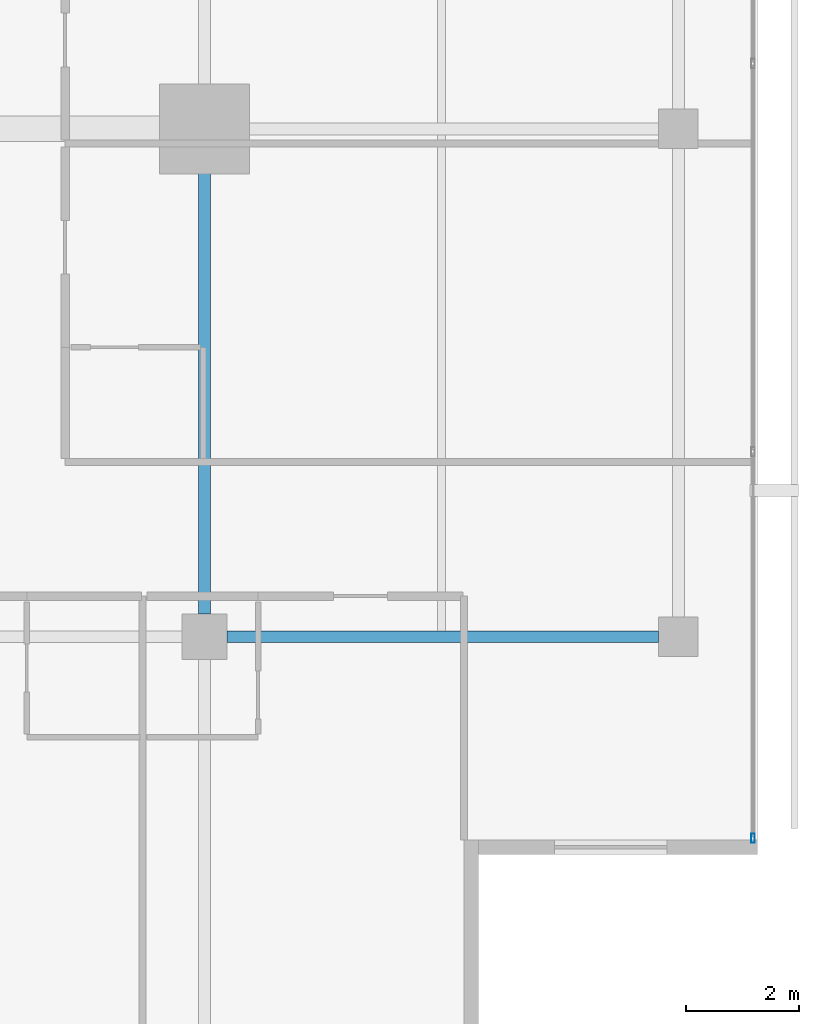
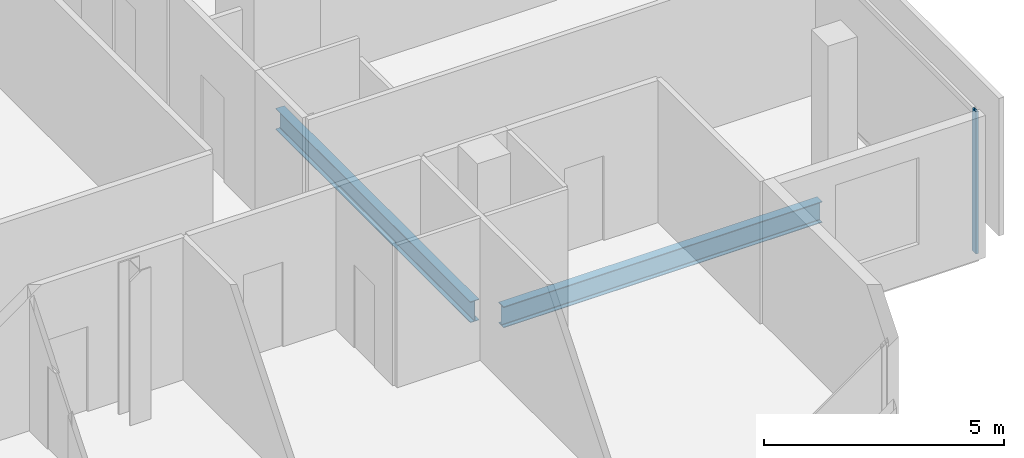
# One storey, part 11 of 25: 2 beams, 1 member, 1 element without a shape of its own.
"""IFC4 building model written with IfcOpenShell, lengths in metres."""

from ifc_helpers import new_model, si_unit, direction, frame, origin, origin_2d, place, context, subcontext, project, spatial, hollow_rectangle, i_section, extrude, material, layer, layer_set, material_profile, profile_set, type_object, element, aggregate, save


model = new_model("IFC4")

# Units and contexts
model_context = context("Model", 3, precision=1e-05, world=origin(), true_north=direction((0.0, 1.0)))
body_context = subcontext(model_context, "Body", "Model", "MODEL_VIEW")
ifc_project = project(units=[si_unit("LENGTHUNIT", "METRE"), si_unit("AREAUNIT", "SQUARE_METRE"), si_unit("VOLUMEUNIT", "CUBIC_METRE"), si_unit("PLANEANGLEUNIT", "RADIAN"), si_unit("MASSUNIT", "GRAM", prefix="KILO")], contexts=[model_context])

# Site, building, storey
site_placement = place(None, origin())
site = spatial("IfcSite", under=ifc_project, at=site_placement, CompositionType="ELEMENT")
building_placement = place(site_placement, origin())
building = spatial("IfcBuilding", under=site, at=building_placement, Name="Maruvema Waterfront Hotel and Observation Tower", CompositionType="ELEMENT")
storey_placement = place(building_placement, frame((0.0, 0.0, 247.10009765625)))
storey = spatial("IfcBuildingStorey", under=building, at=storey_placement, Name="L60", CompositionType="ELEMENT", Elevation=247.10009765625)

# Curtain wall, member
ifc_material_1 = material(Name="Anodised bronze aluminium and solar-control low-E IGU", Category="aluminium")
ifc_layer = layer(ifc_material_1, 0.159912109375, Name="Zone 3 Champagne Inner Thermal Curtain Wall System CW-04")
ifc_layer_set = layer_set([ifc_layer], Name="Anodised bronze aluminium and solar-control low-E IGU")
curtain_wall_type = type_object("IfcCurtainWallType", Name="Zone 3 Champagne Inner Thermal Curtain Wall System CW-04", PredefinedType="USERDEFINED", material=ifc_layer_set)
curtain_wall_placement = place(storey_placement, origin())
curtain_wall = element("IfcCurtainWall", 1, at=curtain_wall_placement, inside=storey, type_object=curtain_wall_type, Name="L60 Curtain Wall CW-L60-E", ObjectType="UNITISED CURTAIN WALL", PredefinedType="USERDEFINED")
ifc_material_2 = material(Name="Anodised architectural bronze aluminium", Category="aluminium")
ifc_material_profile_1 = material_profile(ifc_material_2, hollow_rectangle(XDim=0.06494140625, YDim=0.1650390625, WallThickness=0.00390625, at=origin_2d()), Name="ALU-M65x165")
ifc_profile_set_1 = profile_set([ifc_material_profile_1], Name="Anodised architectural bronze aluminium")
member_type = type_object("IfcMemberType", Name="Curtain Wall Primary Mullion ALU-M65x165", PredefinedType="MULLION", material=ifc_profile_set_1)
member_placement = place(storey_placement, frame((60.1201171875, 14.429931640625, 0.0), z_axis=(0.0, 0.0, 1.0), x_axis=(-1.0, 0.0, 0.0)))
member = element("IfcMember", 2, at=member_placement, type_object=member_type, Name="CW-04 mullion 1", PredefinedType="MULLION", context=body_context, shape_type="SweptSolid", body=[
    extrude(hollow_rectangle(XDim=0.06494140625, YDim=0.1650390625, WallThickness=0.00390625, at=origin_2d()), origin(), (0.0, 0.0, 1.0), 3.60986328125),
])
aggregate(curtain_wall, [member])

# Beams
ifc_material_3 = material(Name="Steel ASTM A572 Grade 50", Category="steel")
ifc_material_profile_2 = material_profile(ifc_material_3, i_section(OverallWidth=0.208984375, OverallDepth=0.532958984375, WebThickness=0.01025390625, FlangeThickness=0.015625, FilletRadius=0.014892578125, at=origin_2d()), Name="W530x92.0")
ifc_profile_set_2 = profile_set([ifc_material_profile_2], Name="Steel ASTM A572 Grade 50")
beam_type = type_object("IfcBeamType", Name="Primary Floor Girder W530x92.0", PredefinedType="BEAM", material=ifc_profile_set_2)
beam_1_placement = place(storey_placement, frame((50.800048828125, 18.0, -0.506591796875), z_axis=(1.0, 0.0, 0.0), x_axis=(0.0, 1.0, 0.0)))
element("IfcBeam", 3, at=beam_1_placement, inside=storey, type_object=beam_type, Name="L60 Floor Girder EW-08", PredefinedType="BEAM", context=body_context, shape_type="SweptSolid", body=[
    extrude(i_section(OverallWidth=0.208984375, OverallDepth=0.532958984375, WebThickness=0.01025390625, FlangeThickness=0.015625, FilletRadius=0.014892578125, at=origin_2d()), origin(), (0.0, 0.0, 1.0), 7.64990234375),
])
beam_2_placement = place(storey_placement, frame((50.39990234375, 18.39990234375, -0.506591796875), z_axis=(0.0, 1.0, 0.0), x_axis=(-1.0, 0.0, 0.0)))
element("IfcBeam", 4, at=beam_2_placement, inside=storey, type_object=beam_type, Name="L60 Floor Girder NS-13", PredefinedType="BEAM", context=body_context, shape_type="SweptSolid", body=[
    extrude(i_section(OverallWidth=0.208984375, OverallDepth=0.532958984375, WebThickness=0.01025390625, FlangeThickness=0.015625, FilletRadius=0.014892578125, at=origin_2d()), origin(), (0.0, 0.0, 1.0), 8.10009765625),
])

save(model, "model.ifc")
